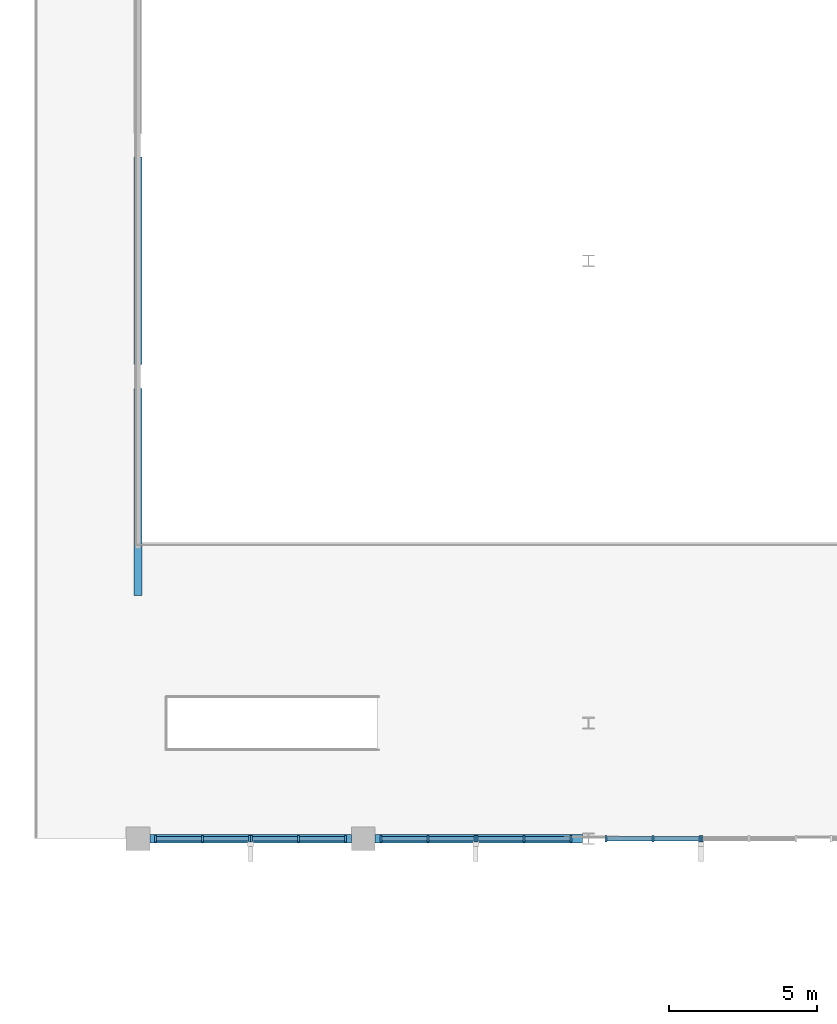
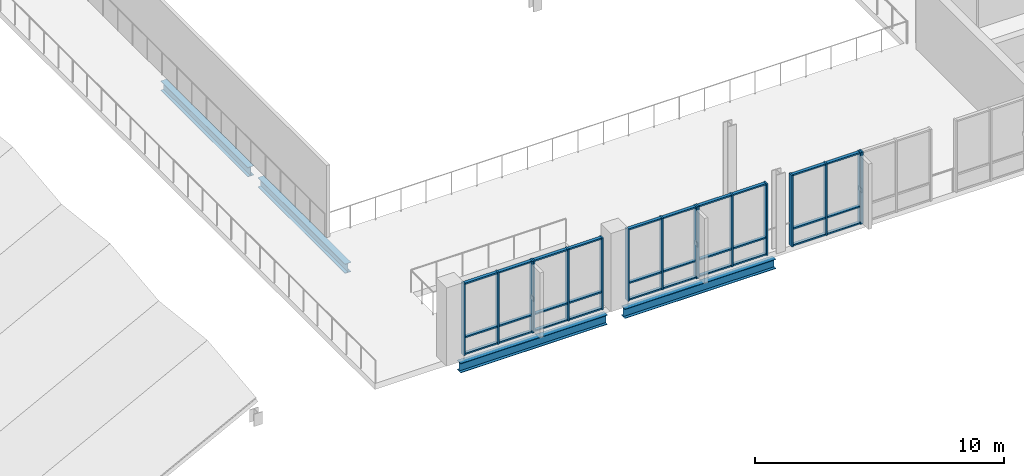
# One storey, part 17 of 64: 46 members, 4 beams, 6 elements without a shape of their own.
"""IFC4 building model written with IfcOpenShell, lengths in metres."""

import ifcopenshell
import ifcopenshell.guid

model = None  # the IFC model being written
_history = None  # IfcOwnerHistory: only IFC2X3 demands one
_inside = {}  # id of a spatial element -> (the spatial element, [elements in it])
_under = {}  # id of a project, library or spatial element -> (it, [spatial elements below it])
_declared = {}  # id of a project -> (the project, [libraries it declares])
_typed = {}  # id of a type object -> (the type object, [elements of that type])
_made_of = {}  # id of a material, layer set ... -> (it, [elements and type objects made of it])


def new_model(schema):
    """Start an empty IFC model of exactly this schema.

    Asked for "IFC4X3", IfcOpenShell would pick the latest addendum, in which some entities
    have other attributes; the version numbers below select the first issue.
    IFC2X3 requires an IfcOwnerHistory on every rooted entity: one is made here for all.
    """
    global model, _history
    if schema == "IFC4X3":
        model = ifcopenshell.file(schema_version=(4, 3, 0, 0))
    else:
        model = ifcopenshell.file(schema=schema)
    _inside.clear()
    _under.clear()
    _declared.clear()
    _typed.clear()
    _made_of.clear()
    _history = None
    if model.schema == "IFC2X3":
        org = make("IfcOrganization", Name="unknown")
        user = make(
            "IfcPersonAndOrganization",
            ThePerson=make("IfcPerson", FamilyName="unknown"),
            TheOrganization=org,
        )
        app = make(
            "IfcApplication",
            ApplicationDeveloper=org,
            Version="unknown",
            ApplicationFullName="unknown",
            ApplicationIdentifier="unknown",
        )
        _history = make(
            "IfcOwnerHistory",
            OwningUser=user,
            OwningApplication=app,
            ChangeAction="ADDED",
            CreationDate=0,
        )
    return model


def make(cls, **values):
    """One entity of the class cls with the attributes given. An attribute that is None is left unset."""
    return model.create_entity(
        cls, **{name: value for name, value in values.items() if value is not None}
    )


def rooted(cls, **values):
    """An entity with a GlobalId (a new one), such as an element, a storey or a relation."""
    return make(cls, GlobalId=ifcopenshell.guid.new(), OwnerHistory=_history, **values)


def si_unit(unit_type, name, prefix=None):
    """IfcSIUnit, for example si_unit("LENGTHUNIT", "METRE", prefix="MILLI")."""
    return make("IfcSIUnit", UnitType=unit_type, Prefix=prefix, Name=name)


def assignment(units):
    """IfcUnitAssignment: the units of a project."""
    return None if units is None else make("IfcUnitAssignment", Units=units)


def point(xyz):
    """IfcCartesianPoint."""
    return None if xyz is None else make("IfcCartesianPoint", Coordinates=xyz)


def direction(xyz):
    """IfcDirection."""
    return None if xyz is None else make("IfcDirection", DirectionRatios=xyz)


def frame(location, z_axis=None, x_axis=None):
    """IfcAxis2Placement3D, a coordinate frame: its origin and axes. An axis left out is left unset."""
    return make(
        "IfcAxis2Placement3D",
        Location=point(location),
        Axis=direction(z_axis),
        RefDirection=direction(x_axis),
    )


def frame_2d(location, x_axis=None):
    """IfcAxis2Placement2D, a coordinate frame in the plane: its origin and x axis."""
    return make(
        "IfcAxis2Placement2D", Location=point(location), RefDirection=direction(x_axis)
    )


def origin():
    """The frame at (0, 0, 0) with its axes left unset."""
    return frame((0.0, 0.0, 0.0))


def origin_2d():
    """The frame at (0, 0) in the plane with its x axis left unset."""
    return frame_2d((0.0, 0.0))


def place(relative_to, where):
    """IfcLocalPlacement: puts the frame where relative to a parent placement (None: the world)."""
    return make(
        "IfcLocalPlacement", PlacementRelTo=relative_to, RelativePlacement=where
    )


def context(
    kind, dimensions, precision=None, world=None, true_north=None, identifier=None
):
    """IfcGeometricRepresentationContext, for example the 3D "Model" context."""
    return make(
        "IfcGeometricRepresentationContext",
        ContextIdentifier=identifier,
        ContextType=kind,
        CoordinateSpaceDimension=dimensions,
        Precision=precision,
        WorldCoordinateSystem=world,
        TrueNorth=true_north,
    )


def subcontext(parent, identifier, kind, view, scale=None):
    """IfcGeometricRepresentationSubContext, for example "Body" below "Model"."""
    return make(
        "IfcGeometricRepresentationSubContext",
        ContextIdentifier=identifier,
        ContextType=kind,
        ParentContext=parent,
        TargetScale=scale,
        TargetView=view,
    )


def project(units=None, contexts=None):
    """IfcProject with its units and contexts."""
    return rooted(
        "IfcProject",
        Name="project",
        RepresentationContexts=contexts,
        UnitsInContext=assignment(units),
    )


def spatial(cls, under=None, at=None, **own):
    """A site, building, storey or space (cls), placed at a placement, below another one or the project."""
    s = rooted(cls, ObjectPlacement=at, **own)
    if under is not None:
        _under.setdefault(under.id(), (under, []))[1].append(s)
    return s


def profile(cls, at=None, kind="AREA", **sizes):
    """A parametric profile (cls). Its sizes go by their IFC names, for example OverallWidth=200.0."""
    return make(cls, ProfileType=kind, Position=at, **sizes)


def rectangle(**sizes):
    """IfcRectangleProfileDef."""
    return profile("IfcRectangleProfileDef", **sizes)


def i_section(**sizes):
    """IfcIShapeProfileDef."""
    return profile("IfcIShapeProfileDef", **sizes)


def extrude(swept, where, along, depth):
    """IfcExtrudedAreaSolid: the profile swept, set in the frame where, extruded along a direction by depth."""
    return make(
        "IfcExtrudedAreaSolid",
        SweptArea=swept,
        Position=where,
        ExtrudedDirection=direction(along),
        Depth=depth,
    )


def shape(context_of_items, identifier, shape_type, items):
    """IfcShapeRepresentation: the items that make up one representation, for example the "Body"."""
    return make(
        "IfcShapeRepresentation",
        ContextOfItems=context_of_items,
        RepresentationIdentifier=identifier,
        RepresentationType=shape_type,
        Items=items,
    )


def material(Name=None, Category=None):
    """IfcMaterial."""
    return make("IfcMaterial", Name=Name, Category=Category)


def material_profile(
    of_material, cross_section, Name=None, Category=None, Priority=None
):
    """IfcMaterialProfile: a cross section and its material."""
    return make(
        "IfcMaterialProfile",
        Name=Name,
        Material=of_material,
        Profile=cross_section,
        Priority=Priority,
        Category=Category,
    )


def profile_set(profiles, Name=None, composite=None):
    """IfcMaterialProfileSet."""
    return make(
        "IfcMaterialProfileSet",
        Name=Name,
        MaterialProfiles=profiles,
        CompositeProfile=composite,
    )


def made_of(thing, what):
    """Note that an element or type object is made of a material, layer set ...; save() writes the relation."""
    if what is not None:
        _made_of.setdefault(what.id(), (what, []))[1].append(thing)
    return thing


def type_object(cls, material=None, **own):
    """A type object (cls), such as IfcWallType, which elements share."""
    return made_of(rooted(cls, **own), material)


def element(
    cls,
    number,
    at=None,
    inside=None,
    cuts=None,
    type_object=None,
    material=None,
    context=None,
    identifier="Body",
    shape_type=None,
    held_by="IfcProductDefinitionShape",
    body=None,
    shapes=None,
    **own,
):
    """One element of the class cls, such as IfcWall. Its Tag is "e" and its number.

    at: its placement. inside: the storey or other place that contains it. cuts: it is an
    opening in that element (IfcRelVoidsElement). A single representation is given by context,
    identifier, shape_type and body (its items); several are given by shapes. held_by: the class
    of the entity that holds the representations. save() writes the other relations.
    """
    e = rooted(cls, Tag="e%d" % number, ObjectPlacement=at, **own)
    if body is not None:
        shapes = [shape(context, identifier, shape_type, body)]
    if shapes is not None:
        e.Representation = make(held_by, Representations=shapes)
    if inside is not None:
        _inside.setdefault(inside.id(), (inside, []))[1].append(e)
    if cuts is not None:
        rooted(
            "IfcRelVoidsElement", RelatingBuildingElement=cuts, RelatedOpeningElement=e
        )
    if type_object is not None:
        _typed.setdefault(type_object.id(), (type_object, []))[1].append(e)
    return made_of(e, material)


def aggregate(whole, parts):
    """IfcRelAggregates: a whole, such as a stair, and the parts it consists of."""
    return rooted("IfcRelAggregates", RelatingObject=whole, RelatedObjects=parts)


def save(model, path):
    """Write the relations noted so far, then the file.

    IfcRelAggregates (storeys below a building ...), IfcRelContainedInSpatialStructure (elements
    in a storey), IfcRelDefinesByType, IfcRelAssociatesMaterial and IfcRelDeclares: one each for
    every whole, place, type object, material and project.
    """
    for whole, parts in _under.values():
        aggregate(whole, parts)
    for where, things in _inside.values():
        rooted(
            "IfcRelContainedInSpatialStructure",
            RelatedElements=things,
            RelatingStructure=where,
        )
    for kind, things in _typed.values():
        rooted("IfcRelDefinesByType", RelatedObjects=things, RelatingType=kind)
    for what, things in _made_of.values():
        rooted("IfcRelAssociatesMaterial", RelatedObjects=things, RelatingMaterial=what)
    for by, libraries in _declared.values():
        rooted("IfcRelDeclares", RelatingContext=by, RelatedDefinitions=libraries)
    model.write(path)


model = new_model("IFC4")

# Units and contexts
model_context = context("Model", 3, precision=1e-05, world=origin(), true_north=direction((0.0, 1.0)))
body_context = subcontext(model_context, "Body", "Model", "MODEL_VIEW")
ifc_project = project(units=[si_unit("LENGTHUNIT", "METRE"), si_unit("AREAUNIT", "SQUARE_METRE"), si_unit("VOLUMEUNIT", "CUBIC_METRE"), si_unit("PLANEANGLEUNIT", "RADIAN"), si_unit("MASSUNIT", "GRAM", prefix="KILO")], contexts=[model_context])

# Site, building, storey
site_placement = place(None, origin())
site = spatial("IfcSite", under=ifc_project, at=site_placement, CompositionType="ELEMENT")
building_placement = place(site_placement, origin())
building = spatial("IfcBuilding", under=site, at=building_placement, Name="Vervanel Yard Central Library", CompositionType="ELEMENT")
storey_placement = place(building_placement, frame((0.0, 0.0, 8.93994140625)))
storey = spatial("IfcBuildingStorey", under=building, at=storey_placement, Name="L02", CompositionType="ELEMENT", Elevation=8.93994140625)

# Curtain wall, members
ifc_material_1 = material(Name="Thermally broken anodized aluminium 6063-T6", Category="aluminium")
curtain_wall_type = type_object("IfcCurtainWallType", Name="Reading Hall Full-Height Curtain Wall", PredefinedType="NOTDEFINED", material=ifc_material_1)
curtain_wall_1_placement = place(storey_placement, origin())
curtain_wall_1 = element("IfcCurtainWall", 1, at=curtain_wall_1_placement, inside=storey, type_object=curtain_wall_type, Name="L02 Reading Hall Full-Height Curtain Wall CWR-L02-068", PredefinedType="NOTDEFINED")
ifc_material_profile_1 = material_profile(ifc_material_1, rectangle(XDim=0.070068359375, YDim=0.219970703125, at=origin_2d()), Name="ALU 70x220", Category="aluminium")
ifc_profile_set_1 = profile_set([ifc_material_profile_1], Name="Thermally broken anodized aluminium 6063-T6")
member_type_1 = type_object("IfcMemberType", Name="Reading Hall Deep Mullion 70x220", PredefinedType="MULLION", material=ifc_profile_set_1)
member_1_placement = place(storey_placement, frame((108.594970703125, 43.199951171875, 0.0), z_axis=(0.0, 0.0, 1.0), x_axis=(1.0, 0.0, 0.0)))
member_1 = element("IfcMember", 2, at=member_1_placement, type_object=member_type_1, Name="CWR-L02-068 Mullion 1", PredefinedType="MULLION", context=body_context, shape_type="SweptSolid", body=[
    extrude(rectangle(XDim=0.070068359375, YDim=0.219970703125, at=origin_2d()), origin(), (0.0, 0.0, 1.0), 3.510009765625),
])
member_2_placement = place(storey_placement, frame((110.179931640625, 43.199951171875, 0.0), z_axis=(0.0, 0.0, 1.0), x_axis=(1.0, 0.0, 0.0)))
member_2 = element("IfcMember", 3, at=member_2_placement, type_object=member_type_1, Name="CWR-L02-068 Mullion 2", PredefinedType="MULLION", context=body_context, shape_type="SweptSolid", body=[
    extrude(rectangle(XDim=0.070068359375, YDim=0.219970703125, at=origin_2d()), origin(), (0.0, 0.0, 1.0), 3.510009765625),
])
member_3_placement = place(storey_placement, frame((111.764892578125, 43.199951171875, 0.0), z_axis=(0.0, 0.0, 1.0), x_axis=(1.0, 0.0, 0.0)))
member_3 = element("IfcMember", 4, at=member_3_placement, type_object=member_type_1, Name="CWR-L02-068 Mullion 3", PredefinedType="MULLION", context=body_context, shape_type="SweptSolid", body=[
    extrude(rectangle(XDim=0.070068359375, YDim=0.219970703125, at=origin_2d()), origin(), (0.0, 0.0, 1.0), 3.510009765625),
])

curtain_wall_2_placement = place(storey_placement, origin())
curtain_wall_2 = element("IfcCurtainWall", 5, at=curtain_wall_2_placement, inside=storey, type_object=curtain_wall_type, Name="L02 Reading Hall Full-Height Curtain Wall CWR-L02-069", PredefinedType="NOTDEFINED")
member_4_placement = place(storey_placement, frame((111.8349609375, 43.199951171875, 0.0), z_axis=(0.0, 0.0, 1.0), x_axis=(1.0, 0.0, 0.0)))
member_4 = element("IfcMember", 6, at=member_4_placement, type_object=member_type_1, Name="CWR-L02-069 Mullion 1", PredefinedType="MULLION", context=body_context, shape_type="SweptSolid", body=[
    extrude(rectangle(XDim=0.070068359375, YDim=0.219970703125, at=origin_2d()), origin(), (0.0, 0.0, 1.0), 3.510009765625),
])
member_5_placement = place(storey_placement, frame((113.419921875, 43.199951171875, 0.0), z_axis=(0.0, 0.0, 1.0), x_axis=(1.0, 0.0, 0.0)))
member_5 = element("IfcMember", 7, at=member_5_placement, type_object=member_type_1, Name="CWR-L02-069 Mullion 2", PredefinedType="MULLION", context=body_context, shape_type="SweptSolid", body=[
    extrude(rectangle(XDim=0.070068359375, YDim=0.219970703125, at=origin_2d()), origin(), (0.0, 0.0, 1.0), 3.510009765625),
])
member_6_placement = place(storey_placement, frame((115.0048828125, 43.199951171875, 0.0), z_axis=(0.0, 0.0, 1.0), x_axis=(1.0, 0.0, 0.0)))
member_6 = element("IfcMember", 8, at=member_6_placement, type_object=member_type_1, Name="CWR-L02-069 Mullion 3", PredefinedType="MULLION", context=body_context, shape_type="SweptSolid", body=[
    extrude(rectangle(XDim=0.070068359375, YDim=0.219970703125, at=origin_2d()), origin(), (0.0, 0.0, 1.0), 3.510009765625),
])

curtain_wall_3_placement = place(storey_placement, origin())
curtain_wall_3 = element("IfcCurtainWall", 9, at=curtain_wall_3_placement, inside=storey, type_object=curtain_wall_type, Name="L02 Reading Hall Full-Height Curtain Wall CWR-L02-070", PredefinedType="NOTDEFINED")
member_7_placement = place(storey_placement, frame((116.195068359375, 43.199951171875, 0.0), z_axis=(0.0, 0.0, 1.0), x_axis=(1.0, 0.0, 0.0)))
member_7 = element("IfcMember", 10, at=member_7_placement, type_object=member_type_1, Name="CWR-L02-070 Mullion 1", PredefinedType="MULLION", context=body_context, shape_type="SweptSolid", body=[
    extrude(rectangle(XDim=0.070068359375, YDim=0.219970703125, at=origin_2d()), origin(), (0.0, 0.0, 1.0), 3.510009765625),
])
member_8_placement = place(storey_placement, frame((117.780029296875, 43.199951171875, 0.0), z_axis=(0.0, 0.0, 1.0), x_axis=(1.0, 0.0, 0.0)))
member_8 = element("IfcMember", 11, at=member_8_placement, type_object=member_type_1, Name="CWR-L02-070 Mullion 2", PredefinedType="MULLION", context=body_context, shape_type="SweptSolid", body=[
    extrude(rectangle(XDim=0.070068359375, YDim=0.219970703125, at=origin_2d()), origin(), (0.0, 0.0, 1.0), 3.510009765625),
])
member_9_placement = place(storey_placement, frame((119.364990234375, 43.199951171875, 0.0), z_axis=(0.0, 0.0, 1.0), x_axis=(1.0, 0.0, 0.0)))
member_9 = element("IfcMember", 12, at=member_9_placement, type_object=member_type_1, Name="CWR-L02-070 Mullion 3", PredefinedType="MULLION", context=body_context, shape_type="SweptSolid", body=[
    extrude(rectangle(XDim=0.070068359375, YDim=0.219970703125, at=origin_2d()), origin(), (0.0, 0.0, 1.0), 3.510009765625),
])

curtain_wall_4_placement = place(storey_placement, origin())
curtain_wall_4 = element("IfcCurtainWall", 13, at=curtain_wall_4_placement, inside=storey, type_object=curtain_wall_type, Name="L02 Reading Hall Full-Height Curtain Wall CWR-L02-071", PredefinedType="NOTDEFINED")
member_10_placement = place(storey_placement, frame((119.43505859375, 43.199951171875, 0.0), z_axis=(0.0, 0.0, 1.0), x_axis=(1.0, 0.0, 0.0)))
member_10 = element("IfcMember", 14, at=member_10_placement, type_object=member_type_1, Name="CWR-L02-071 Mullion 1", PredefinedType="MULLION", context=body_context, shape_type="SweptSolid", body=[
    extrude(rectangle(XDim=0.070068359375, YDim=0.219970703125, at=origin_2d()), origin(), (0.0, 0.0, 1.0), 3.510009765625),
])
member_11_placement = place(storey_placement, frame((121.02001953125, 43.199951171875, 0.0), z_axis=(0.0, 0.0, 1.0), x_axis=(1.0, 0.0, 0.0)))
member_11 = element("IfcMember", 15, at=member_11_placement, type_object=member_type_1, Name="CWR-L02-071 Mullion 2", PredefinedType="MULLION", context=body_context, shape_type="SweptSolid", body=[
    extrude(rectangle(XDim=0.070068359375, YDim=0.219970703125, at=origin_2d()), origin(), (0.0, 0.0, 1.0), 3.510009765625),
])
member_12_placement = place(storey_placement, frame((122.60498046875, 43.199951171875, 0.0), z_axis=(0.0, 0.0, 1.0), x_axis=(1.0, 0.0, 0.0)))
member_12 = element("IfcMember", 16, at=member_12_placement, type_object=member_type_1, Name="CWR-L02-071 Mullion 3", PredefinedType="MULLION", context=body_context, shape_type="SweptSolid", body=[
    extrude(rectangle(XDim=0.070068359375, YDim=0.219970703125, at=origin_2d()), origin(), (0.0, 0.0, 1.0), 3.510009765625),
])

curtain_wall_5_placement = place(storey_placement, origin())
curtain_wall_5 = element("IfcCurtainWall", 17, at=curtain_wall_5_placement, inside=storey, type_object=curtain_wall_type, Name="L02 Reading Hall Full-Height Curtain Wall CWR-L02-072", PredefinedType="NOTDEFINED")
member_13_placement = place(storey_placement, frame((123.794921875, 43.199951171875, 0.0), z_axis=(0.0, 0.0, 1.0), x_axis=(1.0, 0.0, 0.0)))
member_13 = element("IfcMember", 18, at=member_13_placement, type_object=member_type_1, Name="CWR-L02-072 Mullion 1", PredefinedType="MULLION", context=body_context, shape_type="SweptSolid", body=[
    extrude(rectangle(XDim=0.070068359375, YDim=0.219970703125, at=origin_2d()), origin(), (0.0, 0.0, 1.0), 3.510009765625),
])
member_14_placement = place(storey_placement, frame((125.3798828125, 43.199951171875, 0.0), z_axis=(0.0, 0.0, 1.0), x_axis=(1.0, 0.0, 0.0)))
member_14 = element("IfcMember", 19, at=member_14_placement, type_object=member_type_1, Name="CWR-L02-072 Mullion 2", PredefinedType="MULLION", context=body_context, shape_type="SweptSolid", body=[
    extrude(rectangle(XDim=0.070068359375, YDim=0.219970703125, at=origin_2d()), origin(), (0.0, 0.0, 1.0), 3.510009765625),
])
member_15_placement = place(storey_placement, frame((126.965087890625, 43.199951171875, 0.0), z_axis=(0.0, 0.0, 1.0), x_axis=(1.0, 0.0, 0.0)))
member_15 = element("IfcMember", 20, at=member_15_placement, type_object=member_type_1, Name="CWR-L02-072 Mullion 3", PredefinedType="MULLION", context=body_context, shape_type="SweptSolid", body=[
    extrude(rectangle(XDim=0.070068359375, YDim=0.219970703125, at=origin_2d()), origin(), (0.0, 0.0, 1.0), 3.510009765625),
])

# Curtain wall, member
curtain_wall_6_placement = place(storey_placement, origin())
curtain_wall_6 = element("IfcCurtainWall", 21, at=curtain_wall_6_placement, inside=storey, type_object=curtain_wall_type, Name="L02 Reading Hall Full-Height Curtain Wall CWR-L02-073", PredefinedType="NOTDEFINED")
member_16_placement = place(storey_placement, frame((127.034912109375, 43.199951171875, 0.0), z_axis=(0.0, 0.0, 1.0), x_axis=(1.0, 0.0, 0.0)))
member_16 = element("IfcMember", 22, at=member_16_placement, type_object=member_type_1, Name="CWR-L02-073 Mullion 1", PredefinedType="MULLION", context=body_context, shape_type="SweptSolid", body=[
    extrude(rectangle(XDim=0.070068359375, YDim=0.219970703125, at=origin_2d()), origin(), (0.0, 0.0, 1.0), 3.510009765625),
])
aggregate(curtain_wall_6, [member_16])

# Member
ifc_material_profile_2 = material_profile(ifc_material_1, rectangle(XDim=0.070068359375, YDim=0.14990234375, at=origin_2d()), Name="ALU 70x150", Category="aluminium")
ifc_profile_set_2 = profile_set([ifc_material_profile_2], Name="Thermally broken anodized aluminium 6063-T6")
member_type_2 = type_object("IfcMemberType", Name="Reading Hall Deep Transom 70x150", PredefinedType="NOTDEFINED", material=ifc_profile_set_2)
member_17_placement = place(storey_placement, frame((108.6298828125, 43.199951171875, 0.03515625), z_axis=(1.0, 0.0, 0.0), x_axis=(0.0, 0.0, 1.0)))
member_17 = element("IfcMember", 23, at=member_17_placement, type_object=member_type_2, Name="CWR-L02-068 Transom B1-T1", ObjectType="TRANSOM", PredefinedType="USERDEFINED", context=body_context, shape_type="SweptSolid", body=[
    extrude(rectangle(XDim=0.070068359375, YDim=0.14990234375, at=origin_2d()), origin(), (0.0, 0.0, 1.0), 1.51513671875),
])

member_18_placement = place(storey_placement, frame((108.6298828125, 43.199951171875, 0.85009765625), z_axis=(1.0, 0.0, 0.0), x_axis=(0.0, 0.0, 1.0)))
member_18 = element("IfcMember", 24, at=member_18_placement, type_object=member_type_2, Name="CWR-L02-068 Transom B1-T2", ObjectType="TRANSOM", PredefinedType="USERDEFINED", context=body_context, shape_type="SweptSolid", body=[
    extrude(rectangle(XDim=0.070068359375, YDim=0.14990234375, at=origin_2d()), origin(), (0.0, 0.0, 1.0), 1.51513671875),
])

member_19_placement = place(storey_placement, frame((108.6298828125, 43.199951171875, 3.47509765625), z_axis=(1.0, 0.0, 0.0), x_axis=(0.0, 0.0, 1.0)))
member_19 = element("IfcMember", 25, at=member_19_placement, type_object=member_type_2, Name="CWR-L02-068 Transom B1-T3", ObjectType="TRANSOM", PredefinedType="USERDEFINED", context=body_context, shape_type="SweptSolid", body=[
    extrude(rectangle(XDim=0.070068359375, YDim=0.14990234375, at=origin_2d()), origin(), (0.0, 0.0, 1.0), 1.51513671875),
])

member_20_placement = place(storey_placement, frame((110.215087890625, 43.199951171875, 0.03515625), z_axis=(1.0, 0.0, 0.0), x_axis=(0.0, 0.0, 1.0)))
member_20 = element("IfcMember", 26, at=member_20_placement, type_object=member_type_2, Name="CWR-L02-068 Transom B2-T1", ObjectType="TRANSOM", PredefinedType="USERDEFINED", context=body_context, shape_type="SweptSolid", body=[
    extrude(rectangle(XDim=0.070068359375, YDim=0.14990234375, at=origin_2d()), origin(), (0.0, 0.0, 1.0), 1.514892578125),
])

member_21_placement = place(storey_placement, frame((110.215087890625, 43.199951171875, 0.85009765625), z_axis=(1.0, 0.0, 0.0), x_axis=(0.0, 0.0, 1.0)))
member_21 = element("IfcMember", 27, at=member_21_placement, type_object=member_type_2, Name="CWR-L02-068 Transom B2-T2", ObjectType="TRANSOM", PredefinedType="USERDEFINED", context=body_context, shape_type="SweptSolid", body=[
    extrude(rectangle(XDim=0.070068359375, YDim=0.14990234375, at=origin_2d()), origin(), (0.0, 0.0, 1.0), 1.514892578125),
])

member_22_placement = place(storey_placement, frame((110.215087890625, 43.199951171875, 3.47509765625), z_axis=(1.0, 0.0, 0.0), x_axis=(0.0, 0.0, 1.0)))
member_22 = element("IfcMember", 28, at=member_22_placement, type_object=member_type_2, Name="CWR-L02-068 Transom B2-T3", ObjectType="TRANSOM", PredefinedType="USERDEFINED", context=body_context, shape_type="SweptSolid", body=[
    extrude(rectangle(XDim=0.070068359375, YDim=0.14990234375, at=origin_2d()), origin(), (0.0, 0.0, 1.0), 1.514892578125),
])

aggregate(curtain_wall_1, [member_1, member_2, member_3, member_17, member_18, member_19, member_20, member_21, member_22])

member_23_placement = place(storey_placement, frame((111.8701171875, 43.199951171875, 0.03515625), z_axis=(1.0, 0.0, 0.0), x_axis=(0.0, 0.0, 1.0)))
member_23 = element("IfcMember", 29, at=member_23_placement, type_object=member_type_2, Name="CWR-L02-069 Transom B1-T1", ObjectType="TRANSOM", PredefinedType="USERDEFINED", context=body_context, shape_type="SweptSolid", body=[
    extrude(rectangle(XDim=0.070068359375, YDim=0.14990234375, at=origin_2d()), origin(), (0.0, 0.0, 1.0), 1.514892578125),
])

member_24_placement = place(storey_placement, frame((111.8701171875, 43.199951171875, 0.85009765625), z_axis=(1.0, 0.0, 0.0), x_axis=(0.0, 0.0, 1.0)))
member_24 = element("IfcMember", 30, at=member_24_placement, type_object=member_type_2, Name="CWR-L02-069 Transom B1-T2", ObjectType="TRANSOM", PredefinedType="USERDEFINED", context=body_context, shape_type="SweptSolid", body=[
    extrude(rectangle(XDim=0.070068359375, YDim=0.14990234375, at=origin_2d()), origin(), (0.0, 0.0, 1.0), 1.514892578125),
])

member_25_placement = place(storey_placement, frame((111.8701171875, 43.199951171875, 3.47509765625), z_axis=(1.0, 0.0, 0.0), x_axis=(0.0, 0.0, 1.0)))
member_25 = element("IfcMember", 31, at=member_25_placement, type_object=member_type_2, Name="CWR-L02-069 Transom B1-T3", ObjectType="TRANSOM", PredefinedType="USERDEFINED", context=body_context, shape_type="SweptSolid", body=[
    extrude(rectangle(XDim=0.070068359375, YDim=0.14990234375, at=origin_2d()), origin(), (0.0, 0.0, 1.0), 1.514892578125),
])

member_26_placement = place(storey_placement, frame((113.455078125, 43.199951171875, 0.03515625), z_axis=(1.0, 0.0, 0.0), x_axis=(0.0, 0.0, 1.0)))
member_26 = element("IfcMember", 32, at=member_26_placement, type_object=member_type_2, Name="CWR-L02-069 Transom B2-T1", ObjectType="TRANSOM", PredefinedType="USERDEFINED", context=body_context, shape_type="SweptSolid", body=[
    extrude(rectangle(XDim=0.070068359375, YDim=0.14990234375, at=origin_2d()), origin(), (0.0, 0.0, 1.0), 1.514892578125),
])

member_27_placement = place(storey_placement, frame((113.455078125, 43.199951171875, 0.85009765625), z_axis=(1.0, 0.0, 0.0), x_axis=(0.0, 0.0, 1.0)))
member_27 = element("IfcMember", 33, at=member_27_placement, type_object=member_type_2, Name="CWR-L02-069 Transom B2-T2", ObjectType="TRANSOM", PredefinedType="USERDEFINED", context=body_context, shape_type="SweptSolid", body=[
    extrude(rectangle(XDim=0.070068359375, YDim=0.14990234375, at=origin_2d()), origin(), (0.0, 0.0, 1.0), 1.514892578125),
])

member_28_placement = place(storey_placement, frame((113.455078125, 43.199951171875, 3.47509765625), z_axis=(1.0, 0.0, 0.0), x_axis=(0.0, 0.0, 1.0)))
member_28 = element("IfcMember", 34, at=member_28_placement, type_object=member_type_2, Name="CWR-L02-069 Transom B2-T3", ObjectType="TRANSOM", PredefinedType="USERDEFINED", context=body_context, shape_type="SweptSolid", body=[
    extrude(rectangle(XDim=0.070068359375, YDim=0.14990234375, at=origin_2d()), origin(), (0.0, 0.0, 1.0), 1.514892578125),
])

aggregate(curtain_wall_2, [member_4, member_5, member_6, member_23, member_24, member_25, member_26, member_27, member_28])

member_29_placement = place(storey_placement, frame((116.22998046875, 43.199951171875, 0.03515625), z_axis=(1.0, 0.0, 0.0), x_axis=(0.0, 0.0, 1.0)))
member_29 = element("IfcMember", 35, at=member_29_placement, type_object=member_type_2, Name="CWR-L02-070 Transom B1-T1", ObjectType="TRANSOM", PredefinedType="USERDEFINED", context=body_context, shape_type="SweptSolid", body=[
    extrude(rectangle(XDim=0.070068359375, YDim=0.14990234375, at=origin_2d()), origin(), (0.0, 0.0, 1.0), 1.51513671875),
])

member_30_placement = place(storey_placement, frame((116.22998046875, 43.199951171875, 0.85009765625), z_axis=(1.0, 0.0, 0.0), x_axis=(0.0, 0.0, 1.0)))
member_30 = element("IfcMember", 36, at=member_30_placement, type_object=member_type_2, Name="CWR-L02-070 Transom B1-T2", ObjectType="TRANSOM", PredefinedType="USERDEFINED", context=body_context, shape_type="SweptSolid", body=[
    extrude(rectangle(XDim=0.070068359375, YDim=0.14990234375, at=origin_2d()), origin(), (0.0, 0.0, 1.0), 1.51513671875),
])

member_31_placement = place(storey_placement, frame((116.22998046875, 43.199951171875, 3.47509765625), z_axis=(1.0, 0.0, 0.0), x_axis=(0.0, 0.0, 1.0)))
member_31 = element("IfcMember", 37, at=member_31_placement, type_object=member_type_2, Name="CWR-L02-070 Transom B1-T3", ObjectType="TRANSOM", PredefinedType="USERDEFINED", context=body_context, shape_type="SweptSolid", body=[
    extrude(rectangle(XDim=0.070068359375, YDim=0.14990234375, at=origin_2d()), origin(), (0.0, 0.0, 1.0), 1.51513671875),
])

member_32_placement = place(storey_placement, frame((117.81494140625, 43.199951171875, 0.03515625), z_axis=(1.0, 0.0, 0.0), x_axis=(0.0, 0.0, 1.0)))
member_32 = element("IfcMember", 38, at=member_32_placement, type_object=member_type_2, Name="CWR-L02-070 Transom B2-T1", ObjectType="TRANSOM", PredefinedType="USERDEFINED", context=body_context, shape_type="SweptSolid", body=[
    extrude(rectangle(XDim=0.070068359375, YDim=0.14990234375, at=origin_2d()), origin(), (0.0, 0.0, 1.0), 1.51513671875),
])

member_33_placement = place(storey_placement, frame((117.81494140625, 43.199951171875, 0.85009765625), z_axis=(1.0, 0.0, 0.0), x_axis=(0.0, 0.0, 1.0)))
member_33 = element("IfcMember", 39, at=member_33_placement, type_object=member_type_2, Name="CWR-L02-070 Transom B2-T2", ObjectType="TRANSOM", PredefinedType="USERDEFINED", context=body_context, shape_type="SweptSolid", body=[
    extrude(rectangle(XDim=0.070068359375, YDim=0.14990234375, at=origin_2d()), origin(), (0.0, 0.0, 1.0), 1.51513671875),
])

member_34_placement = place(storey_placement, frame((117.81494140625, 43.199951171875, 3.47509765625), z_axis=(1.0, 0.0, 0.0), x_axis=(0.0, 0.0, 1.0)))
member_34 = element("IfcMember", 40, at=member_34_placement, type_object=member_type_2, Name="CWR-L02-070 Transom B2-T3", ObjectType="TRANSOM", PredefinedType="USERDEFINED", context=body_context, shape_type="SweptSolid", body=[
    extrude(rectangle(XDim=0.070068359375, YDim=0.14990234375, at=origin_2d()), origin(), (0.0, 0.0, 1.0), 1.51513671875),
])

aggregate(curtain_wall_3, [member_7, member_8, member_9, member_29, member_30, member_31, member_32, member_33, member_34])

member_35_placement = place(storey_placement, frame((119.469970703125, 43.199951171875, 0.03515625), z_axis=(1.0, 0.0, 0.0), x_axis=(0.0, 0.0, 1.0)))
member_35 = element("IfcMember", 41, at=member_35_placement, type_object=member_type_2, Name="CWR-L02-071 Transom B1-T1", ObjectType="TRANSOM", PredefinedType="USERDEFINED", context=body_context, shape_type="SweptSolid", body=[
    extrude(rectangle(XDim=0.070068359375, YDim=0.14990234375, at=origin_2d()), origin(), (0.0, 0.0, 1.0), 1.51513671875),
])

member_36_placement = place(storey_placement, frame((119.469970703125, 43.199951171875, 0.85009765625), z_axis=(1.0, 0.0, 0.0), x_axis=(0.0, 0.0, 1.0)))
member_36 = element("IfcMember", 42, at=member_36_placement, type_object=member_type_2, Name="CWR-L02-071 Transom B1-T2", ObjectType="TRANSOM", PredefinedType="USERDEFINED", context=body_context, shape_type="SweptSolid", body=[
    extrude(rectangle(XDim=0.070068359375, YDim=0.14990234375, at=origin_2d()), origin(), (0.0, 0.0, 1.0), 1.51513671875),
])

member_37_placement = place(storey_placement, frame((119.469970703125, 43.199951171875, 3.47509765625), z_axis=(1.0, 0.0, 0.0), x_axis=(0.0, 0.0, 1.0)))
member_37 = element("IfcMember", 43, at=member_37_placement, type_object=member_type_2, Name="CWR-L02-071 Transom B1-T3", ObjectType="TRANSOM", PredefinedType="USERDEFINED", context=body_context, shape_type="SweptSolid", body=[
    extrude(rectangle(XDim=0.070068359375, YDim=0.14990234375, at=origin_2d()), origin(), (0.0, 0.0, 1.0), 1.51513671875),
])

member_38_placement = place(storey_placement, frame((121.054931640625, 43.199951171875, 0.03515625), z_axis=(1.0, 0.0, 0.0), x_axis=(0.0, 0.0, 1.0)))
member_38 = element("IfcMember", 44, at=member_38_placement, type_object=member_type_2, Name="CWR-L02-071 Transom B2-T1", ObjectType="TRANSOM", PredefinedType="USERDEFINED", context=body_context, shape_type="SweptSolid", body=[
    extrude(rectangle(XDim=0.070068359375, YDim=0.14990234375, at=origin_2d()), origin(), (0.0, 0.0, 1.0), 1.51513671875),
])

member_39_placement = place(storey_placement, frame((121.054931640625, 43.199951171875, 0.85009765625), z_axis=(1.0, 0.0, 0.0), x_axis=(0.0, 0.0, 1.0)))
member_39 = element("IfcMember", 45, at=member_39_placement, type_object=member_type_2, Name="CWR-L02-071 Transom B2-T2", ObjectType="TRANSOM", PredefinedType="USERDEFINED", context=body_context, shape_type="SweptSolid", body=[
    extrude(rectangle(XDim=0.070068359375, YDim=0.14990234375, at=origin_2d()), origin(), (0.0, 0.0, 1.0), 1.51513671875),
])

member_40_placement = place(storey_placement, frame((121.054931640625, 43.199951171875, 3.47509765625), z_axis=(1.0, 0.0, 0.0), x_axis=(0.0, 0.0, 1.0)))
member_40 = element("IfcMember", 46, at=member_40_placement, type_object=member_type_2, Name="CWR-L02-071 Transom B2-T3", ObjectType="TRANSOM", PredefinedType="USERDEFINED", context=body_context, shape_type="SweptSolid", body=[
    extrude(rectangle(XDim=0.070068359375, YDim=0.14990234375, at=origin_2d()), origin(), (0.0, 0.0, 1.0), 1.51513671875),
])

aggregate(curtain_wall_4, [member_10, member_11, member_12, member_35, member_36, member_37, member_38, member_39, member_40])

member_41_placement = place(storey_placement, frame((123.830078125, 43.199951171875, 0.03515625), z_axis=(1.0, 0.0, 0.0), x_axis=(0.0, 0.0, 1.0)))
member_41 = element("IfcMember", 47, at=member_41_placement, type_object=member_type_2, Name="CWR-L02-072 Transom B1-T1", ObjectType="TRANSOM", PredefinedType="USERDEFINED", context=body_context, shape_type="SweptSolid", body=[
    extrude(rectangle(XDim=0.070068359375, YDim=0.14990234375, at=origin_2d()), origin(), (0.0, 0.0, 1.0), 1.514892578125),
])

member_42_placement = place(storey_placement, frame((123.830078125, 43.199951171875, 0.85009765625), z_axis=(1.0, 0.0, 0.0), x_axis=(0.0, 0.0, 1.0)))
member_42 = element("IfcMember", 48, at=member_42_placement, type_object=member_type_2, Name="CWR-L02-072 Transom B1-T2", ObjectType="TRANSOM", PredefinedType="USERDEFINED", context=body_context, shape_type="SweptSolid", body=[
    extrude(rectangle(XDim=0.070068359375, YDim=0.14990234375, at=origin_2d()), origin(), (0.0, 0.0, 1.0), 1.514892578125),
])

member_43_placement = place(storey_placement, frame((123.830078125, 43.199951171875, 3.47509765625), z_axis=(1.0, 0.0, 0.0), x_axis=(0.0, 0.0, 1.0)))
member_43 = element("IfcMember", 49, at=member_43_placement, type_object=member_type_2, Name="CWR-L02-072 Transom B1-T3", ObjectType="TRANSOM", PredefinedType="USERDEFINED", context=body_context, shape_type="SweptSolid", body=[
    extrude(rectangle(XDim=0.070068359375, YDim=0.14990234375, at=origin_2d()), origin(), (0.0, 0.0, 1.0), 1.514892578125),
])

member_44_placement = place(storey_placement, frame((125.4150390625, 43.199951171875, 0.03515625), z_axis=(1.0, 0.0, 0.0), x_axis=(0.0, 0.0, 1.0)))
member_44 = element("IfcMember", 50, at=member_44_placement, type_object=member_type_2, Name="CWR-L02-072 Transom B2-T1", ObjectType="TRANSOM", PredefinedType="USERDEFINED", context=body_context, shape_type="SweptSolid", body=[
    extrude(rectangle(XDim=0.070068359375, YDim=0.14990234375, at=origin_2d()), origin(), (0.0, 0.0, 1.0), 1.514892578125),
])

member_45_placement = place(storey_placement, frame((125.4150390625, 43.199951171875, 0.85009765625), z_axis=(1.0, 0.0, 0.0), x_axis=(0.0, 0.0, 1.0)))
member_45 = element("IfcMember", 51, at=member_45_placement, type_object=member_type_2, Name="CWR-L02-072 Transom B2-T2", ObjectType="TRANSOM", PredefinedType="USERDEFINED", context=body_context, shape_type="SweptSolid", body=[
    extrude(rectangle(XDim=0.070068359375, YDim=0.14990234375, at=origin_2d()), origin(), (0.0, 0.0, 1.0), 1.514892578125),
])

member_46_placement = place(storey_placement, frame((125.4150390625, 43.199951171875, 3.47509765625), z_axis=(1.0, 0.0, 0.0), x_axis=(0.0, 0.0, 1.0)))
member_46 = element("IfcMember", 52, at=member_46_placement, type_object=member_type_2, Name="CWR-L02-072 Transom B2-T3", ObjectType="TRANSOM", PredefinedType="USERDEFINED", context=body_context, shape_type="SweptSolid", body=[
    extrude(rectangle(XDim=0.070068359375, YDim=0.14990234375, at=origin_2d()), origin(), (0.0, 0.0, 1.0), 1.514892578125),
])

aggregate(curtain_wall_5, [member_13, member_14, member_15, member_41, member_42, member_43, member_44, member_45, member_46])

# Beams
ifc_material_2 = material(Name="Steel ASTM A992 Grade 50", Category="steel")
ifc_material_profile_3 = material_profile(ifc_material_2, i_section(OverallWidth=0.281982421875, OverallDepth=0.46728515625, WebThickness=0.01220703125, FlangeThickness=0.01953125, at=origin_2d()), Name="W18X86", Category="steel")
ifc_profile_set_3 = profile_set([ifc_material_profile_3], Name="Steel ASTM A992 Grade 50")
beam_type = type_object("IfcBeamType", Name="Steel Spandrel Beam W18X86", PredefinedType="SPANDREL", material=ifc_profile_set_3)
beam_1_placement = place(storey_placement, frame((108.39990234375, 43.199951171875, -0.53369140625), z_axis=(1.0, 0.0, 0.0), x_axis=(0.0, 1.0, 0.0)))
element("IfcBeam", 53, at=beam_1_placement, inside=storey, type_object=beam_type, Name="L02 Girder SP-02 Y=43.2 X=108.0-115.6", PredefinedType="SPANDREL", context=body_context, shape_type="SweptSolid", body=[
    extrude(i_section(OverallWidth=0.281982421875, OverallDepth=0.46728515625, WebThickness=0.01220703125, FlangeThickness=0.01953125, at=origin_2d()), origin(), (0.0, 0.0, 1.0), 6.800048828125),
])
beam_2_placement = place(storey_placement, frame((116.0, 43.199951171875, -0.53369140625), z_axis=(1.0, 0.0, 0.0), x_axis=(0.0, 1.0, 0.0)))
element("IfcBeam", 54, at=beam_2_placement, inside=storey, type_object=beam_type, Name="L02 Girder SP-02 Y=43.2 X=115.6-123.2", PredefinedType="SPANDREL", context=body_context, shape_type="SweptSolid", body=[
    extrude(i_section(OverallWidth=0.281982421875, OverallDepth=0.46728515625, WebThickness=0.01220703125, FlangeThickness=0.01953125, at=origin_2d()), origin(), (0.0, 0.0, 1.0), 6.999267578125),
])
for number, where, z_axis, x_axis, name in (
    (55, (108.0, 51.39990234375, -0.53369140625), (0.0, 1.0, 0.0), (-1.0, 0.0, 0.0), "L02 Girder SP-02 X=108.0 Y=51.0-58.8"),
    (56, (108.0, 59.199951171875, -0.53369140625), (0.0, 1.0, 0.0), (-1.0, 0.0, 0.0), "L02 Girder SP-02 X=108.0 Y=58.8-66.6"),
):
    element("IfcBeam", number, at=place(storey_placement, frame(where, z_axis=z_axis, x_axis=x_axis)), inside=storey, type_object=beam_type, Name=name, PredefinedType="SPANDREL", context=body_context, shape_type="SweptSolid", body=[
        extrude(i_section(OverallWidth=0.281982421875, OverallDepth=0.46728515625, WebThickness=0.01220703125, FlangeThickness=0.01953125, at=origin_2d()), origin(), (0.0, 0.0, 1.0), 7.0),
    ])

save(model, "model.ifc")
